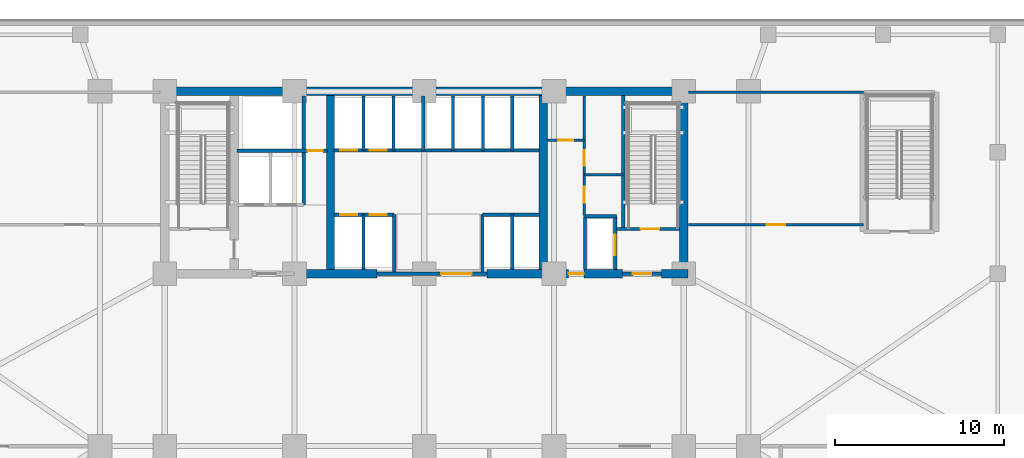
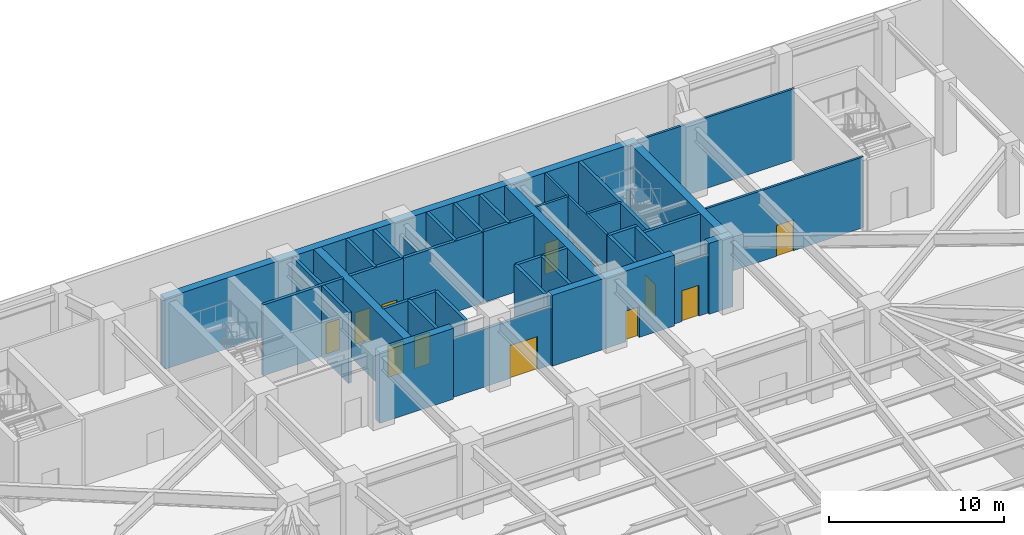
# One storey, part 13 of 19: 36 walls, 14 doors, 14 openings.
"""IFC4 building model written with IfcOpenShell, lengths in metres."""

from ifc_helpers import new_model, si_unit, direction, frame, frame_2d, origin, place, context, subcontext, project, spatial, rectangle, extrude, material, layer, layer_set, type_object, element, fill, save


model = new_model("IFC4")

# Units and contexts
model_context = context("Model", 3, precision=1e-05, world=origin(), true_north=direction((0.0, 1.0)))
body_context = subcontext(model_context, "Body", "Model", "MODEL_VIEW")
ifc_project = project(units=[si_unit("LENGTHUNIT", "METRE"), si_unit("AREAUNIT", "SQUARE_METRE"), si_unit("VOLUMEUNIT", "CUBIC_METRE"), si_unit("PLANEANGLEUNIT", "RADIAN"), si_unit("MASSUNIT", "GRAM", prefix="KILO")], contexts=[model_context])

# Site, building, storey
site_placement = place(None, origin())
site = spatial("IfcSite", under=ifc_project, at=site_placement, CompositionType="ELEMENT")
building_placement = place(site_placement, origin())
building = spatial("IfcBuilding", under=site, at=building_placement, Name="Yelkora Congress Tower", CompositionType="ELEMENT")
storey_placement = place(building_placement, frame((0.0, 0.0, 5.199951171875)))
storey = spatial("IfcBuildingStorey", under=building, at=storey_placement, Name="L01", CompositionType="ELEMENT", Elevation=5.199951171875)

# Walls
ifc_material_1 = material(Name="Concrete C50/60", Category="concrete")
ifc_layer_1 = layer(ifc_material_1, 0.219970703125)
ifc_layer_set_1 = layer_set([ifc_layer_1], Name="Concrete C50/60")
wall_type_1 = type_object("IfcWallType", Name="WALL-CORE-INT-220", PredefinedType="SHEAR", material=ifc_layer_set_1)
wall_1_placement = place(storey_placement, frame((50.179931640625, 38.050048828125, 0.0), z_axis=(0.0, 0.0, 1.0), x_axis=(0.0, 1.0, 0.0)))
element("IfcWall", 1, at=wall_1_placement, inside=storey, type_object=wall_type_1, Name="L01 ST02 West Stair Shear Wall", PredefinedType="SHEAR", context=body_context, shape_type="SweptSolid", body=[
    extrude(rectangle(XDim=7.89990234375, YDim=0.219970703125, at=frame_2d((3.949951171875, 0.0))), origin(), (0.0, 0.0, 1.0), 4.93994140625),
])
ifc_material_2 = material(Name="Concrete C60/75", Category="concrete")
ifc_layer_2 = layer(ifc_material_2, 0.5)
ifc_layer_set_2 = layer_set([ifc_layer_2], Name="Concrete C60/75")
wall_type_2 = type_object("IfcWallType", Name="WALL-CORE-INT-500", PredefinedType="SHEAR", material=ifc_layer_set_2)
wall_2_placement = place(storey_placement, frame((22.7900390625, 46.199951171875, 0.0), z_axis=(0.0, 0.0, 1.0), x_axis=(1.0, 0.0, 0.0)))
element("IfcWall", 2, at=wall_2_placement, inside=storey, type_object=wall_type_2, Name="L01 Rear Core North Shear Wall", PredefinedType="SHEAR", context=body_context, shape_type="SweptSolid", body=[
    extrude(rectangle(XDim=31.219970703125, YDim=0.5, at=frame_2d((15.60986328125, 0.0))), origin(), (0.0, 0.0, 1.0), 4.93994140625),
])
wall_3_placement = place(storey_placement, frame((30.719970703125, 35.39990234375, 0.0), z_axis=(0.0, 0.0, 1.0), x_axis=(1.0, 0.0, 0.0)))
element("IfcWall", 3, at=wall_3_placement, inside=storey, type_object=wall_type_2, Name="L01 Rear Core South-Center Shear Pier", PredefinedType="SHEAR", context=body_context, shape_type="SweptSolid", body=[
    extrude(rectangle(XDim=4.880126953125, YDim=0.5, at=frame_2d((2.43994140625, 0.0))), origin(), (0.0, 0.0, 1.0), 4.93994140625),
])

# Wall, opening, door
wall_4_placement = place(storey_placement, frame((42.10009765625, 35.39990234375, 0.0), z_axis=(0.0, 0.0, 1.0), x_axis=(1.0, 0.0, 0.0)))
wall_4 = element("IfcWall", 4, at=wall_4_placement, inside=storey, type_object=wall_type_2, Name="L01 Rear Core South-East Shear Wall A", PredefinedType="SHEAR", context=body_context, shape_type="SweptSolid", body=[
    extrude(rectangle(XDim=8.0498046875, YDim=0.5, at=frame_2d((4.02490234375, 0.0))), origin(), (0.0, 0.0, 1.0), 4.93994140625),
])
opening_1_placement = place(wall_4_placement, frame((4.85009765625, 0.0, 0.0)))
opening_1 = element("IfcOpeningElement", 5, at=opening_1_placement, cuts=wall_4, Name="Opening DR-090F6", PredefinedType="OPENING", context=body_context, shape_type="SweptSolid", body=[
    extrude(rectangle(XDim=0.89990234375, YDim=2.14990234375, at=frame_2d((0.449951171875, 1.074951171875))), frame((0.0, 0.260009765625, 0.0), z_axis=(0.0, -1.0, 0.0), x_axis=(1.0, 0.0, 0.0)), (0.0, 0.0, 1.0), 0.52001953125),
])
ifc_material_3 = material(Name="Painted steel riser fire door leaf", Category="steel")
door_type_1 = type_object("IfcDoorType", Name="DOOR-FD60-900", OperationType="NOTDEFINED", PredefinedType="DOOR", material=ifc_material_3)
door_1_placement = place(opening_1_placement, origin())
door_1 = element("IfcDoor", 6, at=door_1_placement, inside=storey, type_object=door_type_1, Name="L01 Core Washroom Lobby Door", OperationType="SINGLE_SWING_RIGHT", OverallHeight=2.14990234375, OverallWidth=0.89990234375, PredefinedType="DOOR", context=body_context, shape_type="SweptSolid", body=[
    extrude(rectangle(XDim=0.89990234375, YDim=2.14990234375, at=frame_2d((0.449951171875, 1.074951171875))), frame((0.0, 0.02490234375, 0.0), z_axis=(0.0, -1.0, 0.0), x_axis=(1.0, 0.0, 0.0)), (0.0, 0.0, 1.0), 0.050048828125),
])
fill(opening_1, door_1)

# Walls
wall_5_placement = place(storey_placement, frame((52.449951171875, 35.39990234375, 0.0), z_axis=(0.0, 0.0, 1.0), x_axis=(1.0, 0.0, 0.0)))
element("IfcWall", 7, at=wall_5_placement, inside=storey, type_object=wall_type_2, Name="L01 Rear Core South-East Shear Wall B", PredefinedType="SHEAR", context=body_context, shape_type="SweptSolid", body=[
    extrude(rectangle(XDim=1.56005859375, YDim=0.5, at=frame_2d((0.780029296875, 0.0))), origin(), (0.0, 0.0, 1.0), 4.93994140625),
])
for number, where, z_axis, x_axis, name in (
    (8, (32.85009765625, 35.64990234375, 0.0), (0.0, 0.0, 1.0), (0.0, 1.0, 0.0), "L01 Rear Core Cross Shear Wall C2"),
    (9, (45.449951171875, 35.64990234375, 0.0), (0.0, 0.0, 1.0), (0.0, 1.0, 0.0), "L01 Rear Core Cross Shear Wall C3"),
    (10, (53.760009765625, 35.64990234375, 0.0), (0.0, 0.0, 1.0), (0.0, 1.0, 0.0), "L01 Rear Core Cross Shear Wall E"),
):
    element("IfcWall", number, at=place(storey_placement, frame(where, z_axis=z_axis, x_axis=x_axis)), inside=storey, type_object=wall_type_2, Name=name, PredefinedType="SHEAR", context=body_context, shape_type="SweptSolid", body=[
        extrude(rectangle(XDim=10.300048828125, YDim=0.5, at=frame_2d((5.14990234375, 0.0))), origin(), (0.0, 0.0, 1.0), 4.93994140625),
    ])

# Wall, opening, door
ifc_material_4 = material(Name="Acoustic metal-stud gypsum partition", Category="gypsum")
ifc_layer_3 = layer(ifc_material_4, 0.14990234375)
ifc_layer_set_3 = layer_set([ifc_layer_3], Name="Acoustic metal-stud gypsum partition")
wall_type_3 = type_object("IfcWallType", Name="WALL-INT-150-NR", PredefinedType="PARTITIONING", material=ifc_layer_set_3)
wall_6_placement = place(storey_placement, frame((45.679931640625, 43.31005859375, 0.0), z_axis=(0.0, 0.0, 1.0), x_axis=(1.0, 0.0, 0.0)))
wall_6 = element("IfcWall", 11, at=wall_6_placement, inside=storey, type_object=wall_type_3, Name="L01 Partition Wall 28", PredefinedType="PARTITIONING", context=body_context, shape_type="SweptSolid", body=[
    extrude(rectangle(XDim=2.199951171875, YDim=0.14990234375, at=frame_2d((1.10009765625, 0.0))), origin(), (0.0, 0.0, 1.0), 4.93994140625),
])
opening_2_placement = place(wall_6_placement, frame((0.64990234375, 0.0, 0.0)))
opening_2 = element("IfcOpeningElement", 12, at=opening_2_placement, cuts=wall_6, Name="Opening DR-090N", PredefinedType="OPENING", context=body_context, shape_type="SweptSolid", body=[
    extrude(rectangle(XDim=0.89990234375, YDim=2.14990234375, at=frame_2d((0.449951171875, 1.074951171875))), frame((0.0, 0.0849609375, 0.0), z_axis=(0.0, -1.0, 0.0), x_axis=(1.0, 0.0, 0.0)), (0.0, 0.0, 1.0), 0.169921875),
])
ifc_material_5 = material(Name="Moisture-resistant laminate door leaf", Category="wood")
door_type_2 = type_object("IfcDoorType", Name="DOOR-INT-900", OperationType="NOTDEFINED", PredefinedType="DOOR", material=ifc_material_5)
door_2_placement = place(opening_2_placement, origin())
door_2 = element("IfcDoor", 13, at=door_2_placement, inside=storey, type_object=door_type_2, Name="L01 Male WC Door", OperationType="SINGLE_SWING_RIGHT", OverallHeight=2.14990234375, OverallWidth=0.89990234375, PredefinedType="DOOR", context=body_context, shape_type="SweptSolid", body=[
    extrude(rectangle(XDim=0.89990234375, YDim=2.14990234375, at=frame_2d((0.449951171875, 1.074951171875))), frame((0.0, 0.02490234375, 0.0), z_axis=(0.0, -1.0, 0.0), x_axis=(1.0, 0.0, 0.0)), (0.0, 0.0, 1.0), 0.050048828125),
])
fill(opening_2, door_2)

# Wall
wall_7_placement = place(storey_placement, frame((47.8798828125, 41.260009765625, 0.0), z_axis=(0.0, 0.0, 1.0), x_axis=(1.0, 0.0, 0.0)))
element("IfcWall", 14, at=wall_7_placement, inside=storey, type_object=wall_type_3, Name="L01 Partition Wall 29", PredefinedType="PARTITIONING", context=body_context, shape_type="SweptSolid", body=[
    extrude(rectangle(XDim=2.300048828125, YDim=0.14990234375, at=frame_2d((1.14990234375, 0.0))), origin(), (0.0, 0.0, 1.0), 4.93994140625),
])

# Wall, openings, doors
wall_8_placement = place(storey_placement, frame((47.8798828125, 38.85009765625, 0.0), z_axis=(0.0, 0.0, 1.0), x_axis=(0.0, 1.0, 0.0)))
wall_8 = element("IfcWall", 15, at=wall_8_placement, inside=storey, type_object=wall_type_3, Name="L01 Partition Wall 30", PredefinedType="PARTITIONING", context=body_context, shape_type="SweptSolid", body=[
    extrude(rectangle(XDim=7.06982421875, YDim=0.14990234375, at=frame_2d((3.534912109375, 0.0))), origin(), (0.0, 0.0, 1.0), 4.93994140625),
])
opening_3_placement = place(wall_8_placement, frame((0.75, 0.0, 0.0)))
opening_3 = element("IfcOpeningElement", 16, at=opening_3_placement, cuts=wall_8, Name="Opening DR-095N", PredefinedType="OPENING", context=body_context, shape_type="SweptSolid", body=[
    extrude(rectangle(XDim=0.949951171875, YDim=2.14990234375, at=frame_2d((0.47509765625, 1.074951171875))), frame((0.0, 0.0849609375, 0.0), z_axis=(0.0, -1.0, 0.0), x_axis=(1.0, 0.0, 0.0)), (0.0, 0.0, 1.0), 0.169921875),
])
opening_4_placement = place(wall_8_placement, frame((2.949951171875, 0.0, 0.0)))
opening_4 = element("IfcOpeningElement", 17, at=opening_4_placement, cuts=wall_8, Name="Opening DR-090N", PredefinedType="OPENING", context=body_context, shape_type="SweptSolid", body=[
    extrude(rectangle(XDim=0.89990234375, YDim=2.14990234375, at=frame_2d((0.449951171875, 1.074951171875))), frame((0.0, 0.0849609375, 0.0), z_axis=(0.0, -1.0, 0.0), x_axis=(1.0, 0.0, 0.0)), (0.0, 0.0, 1.0), 0.169921875),
])
door_3_placement = place(opening_4_placement, origin())
door_3 = element("IfcDoor", 18, at=door_3_placement, inside=storey, type_object=door_type_2, Name="L01 Female WC Door", OperationType="SINGLE_SWING_RIGHT", OverallHeight=2.14990234375, OverallWidth=0.89990234375, PredefinedType="DOOR", context=body_context, shape_type="SweptSolid", body=[
    extrude(rectangle(XDim=0.89990234375, YDim=2.14990234375, at=frame_2d((0.449951171875, 1.074951171875))), frame((0.0, 0.02490234375, 0.0), z_axis=(0.0, -1.0, 0.0), x_axis=(1.0, 0.0, 0.0)), (0.0, 0.0, 1.0), 0.050048828125),
])
fill(opening_4, door_3)
ifc_material_6 = material(Name="Acoustic laminated timber office door", Category="wood")
door_type_3 = type_object("IfcDoorType", Name="DOOR-INT-950", OperationType="NOTDEFINED", PredefinedType="DOOR", material=ifc_material_6)
door_4_placement = place(opening_3_placement, origin())
door_4 = element("IfcDoor", 19, at=door_4_placement, inside=storey, type_object=door_type_3, Name="L01 Accessible WC Door", OperationType="SINGLE_SWING_LEFT", OverallHeight=2.14990234375, OverallWidth=0.949951171875, PredefinedType="DOOR", context=body_context, shape_type="SweptSolid", body=[
    extrude(rectangle(XDim=0.949951171875, YDim=2.14990234375, at=frame_2d((0.47509765625, 1.074951171875))), frame((0.0, 0.02490234375, 0.0), z_axis=(0.0, -1.0, 0.0), x_axis=(1.0, 0.0, 0.0)), (0.0, 0.0, 1.0), 0.050048828125),
])
fill(opening_3, door_4)

# Wall, opening, door
wall_9_placement = place(storey_placement, frame((54.050048828125, 38.300048828125, 0.0), z_axis=(0.0, 0.0, 1.0), x_axis=(1.0, 0.0, 0.0)))
wall_9 = element("IfcWall", 20, at=wall_9_placement, inside=storey, type_object=wall_type_3, Name="L01 Partition Wall 37", PredefinedType="PARTITIONING", context=body_context, shape_type="SweptSolid", body=[
    extrude(rectangle(XDim=10.349853515625, YDim=0.14990234375, at=frame_2d((5.1748046875, 0.0))), origin(), (0.0, 0.0, 1.0), 4.93994140625),
])
opening_5_placement = place(wall_9_placement, frame((4.625, 0.0, 0.0)))
opening_5 = element("IfcOpeningElement", 21, at=opening_5_placement, cuts=wall_9, Name="Opening DR-110N", PredefinedType="OPENING", context=body_context, shape_type="SweptSolid", body=[
    extrude(rectangle(XDim=1.10009765625, YDim=2.14990234375, at=frame_2d((0.550048828125, 1.074951171875))), frame((0.0, 0.0849609375, 0.0), z_axis=(0.0, -1.0, 0.0), x_axis=(1.0, 0.0, 0.0)), (0.0, 0.0, 1.0), 0.169921875),
])
ifc_material_7 = material(Name="Solid-core Anatolian oak veneer door", Category="wood")
door_type_4 = type_object("IfcDoorType", Name="DOOR-INT-1100", OperationType="NOTDEFINED", PredefinedType="DOOR", material=ifc_material_7)
door_5_placement = place(opening_5_placement, origin())
door_5 = element("IfcDoor", 22, at=door_5_placement, inside=storey, type_object=door_type_4, Name="L01 Interior Door 20", OperationType="SINGLE_SWING_RIGHT", OverallHeight=2.14990234375, OverallWidth=1.10009765625, PredefinedType="DOOR", context=body_context, shape_type="SweptSolid", body=[
    extrude(rectangle(XDim=1.10009765625, YDim=2.14990234375, at=frame_2d((0.550048828125, 1.074951171875))), frame((0.0, 0.02490234375, 0.0), z_axis=(0.0, -1.0, 0.0), x_axis=(1.0, 0.0, 0.0)), (0.0, 0.0, 1.0), 0.050048828125),
])
fill(opening_5, door_5)

# Walls
wall_10_placement = place(storey_placement, frame((54.050048828125, 46.14990234375, 0.0), z_axis=(0.0, 0.0, 1.0), x_axis=(1.0, 0.0, 0.0)))
element("IfcWall", 23, at=wall_10_placement, inside=storey, type_object=wall_type_3, Name="L01 Partition Wall 38", PredefinedType="PARTITIONING", context=body_context, shape_type="SweptSolid", body=[
    extrude(rectangle(XDim=10.349853515625, YDim=0.14990234375, at=frame_2d((5.1748046875, 0.0))), origin(), (0.0, 0.0, 1.0), 4.93994140625),
])
ifc_material_8 = material(Name="Autoclaved aerated concrete blockwork", Category="masonry")
ifc_layer_4 = layer(ifc_material_8, 0.199951171875)
ifc_layer_set_4 = layer_set([ifc_layer_4], Name="Autoclaved aerated concrete blockwork")
wall_type_4 = type_object("IfcWallType", Name="WALL-INT-200-R120", PredefinedType="PARTITIONING", material=ifc_layer_set_4)
wall_11_placement = place(storey_placement, frame((31.260009765625, 39.47998046875, 0.0), z_axis=(0.0, 0.0, 1.0), x_axis=(0.0, 1.0, 0.0)))
element("IfcWall", 24, at=wall_11_placement, inside=storey, type_object=wall_type_4, Name="L01 Partition Wall 5", PredefinedType="PARTITIONING", context=body_context, shape_type="SweptSolid", body=[
    extrude(rectangle(XDim=6.43994140625, YDim=0.199951171875, at=frame_2d((3.219970703125, 0.0))), origin(), (0.0, 0.0, 1.0), 4.93994140625),
])

# Wall, opening, door
wall_12_placement = place(storey_placement, frame((27.320068359375, 42.679931640625, 0.0), z_axis=(0.0, 0.0, 1.0), x_axis=(1.0, 0.0, 0.0)))
wall_12 = element("IfcWall", 25, at=wall_12_placement, inside=storey, type_object=wall_type_4, Name="L01 Smoke Riser South Wall", PredefinedType="PARTITIONING", context=body_context, shape_type="SweptSolid", body=[
    extrude(rectangle(XDim=5.329833984375, YDim=0.199951171875, at=frame_2d((2.6650390625, 0.0))), origin(), (0.0, 0.0, 1.0), 4.93994140625),
])
opening_6_placement = place(wall_12_placement, frame((4.179931640625, 0.0, 0.0)))
opening_6 = element("IfcOpeningElement", 26, at=opening_6_placement, cuts=wall_12, Name="Opening DR-090F6", PredefinedType="OPENING", context=body_context, shape_type="SweptSolid", body=[
    extrude(rectangle(XDim=0.89990234375, YDim=2.14990234375, at=frame_2d((0.449951171875, 1.074951171875))), frame((0.0, 0.10986328125, 0.0), z_axis=(0.0, -1.0, 0.0), x_axis=(1.0, 0.0, 0.0)), (0.0, 0.0, 1.0), 0.219970703125),
])
door_6_placement = place(opening_6_placement, origin())
door_6 = element("IfcDoor", 27, at=door_6_placement, inside=storey, type_object=door_type_1, Name="L01 Riser Access Door", OperationType="SINGLE_SWING_LEFT", OverallHeight=2.14990234375, OverallWidth=0.89990234375, PredefinedType="DOOR", context=body_context, shape_type="SweptSolid", body=[
    extrude(rectangle(XDim=0.89990234375, YDim=2.14990234375, at=frame_2d((0.449951171875, 1.074951171875))), frame((0.0, 0.02490234375, 0.0), z_axis=(0.0, -1.0, 0.0), x_axis=(1.0, 0.0, 0.0)), (0.0, 0.0, 1.0), 0.050048828125),
])
fill(opening_6, door_6)

wall_13_placement = place(storey_placement, frame((35.60009765625, 35.39990234375, 0.0), z_axis=(0.0, 0.0, 1.0), x_axis=(1.0, 0.0, 0.0)))
wall_13 = element("IfcWall", 28, at=wall_13_placement, inside=storey, type_object=wall_type_4, Name="L01 Main Lift Lobby South Portal Wall", PredefinedType="PARTITIONING", context=body_context, shape_type="SweptSolid", body=[
    extrude(rectangle(XDim=6.5, YDim=0.199951171875, at=frame_2d((3.25, 0.0))), origin(), (0.0, 0.0, 1.0), 4.025146484375),
])
opening_7_placement = place(wall_13_placement, frame((3.800048828125, 0.0, 0.0)))
opening_7 = element("IfcOpeningElement", 29, at=opening_7_placement, cuts=wall_13, Name="Opening DR-180D", PredefinedType="OPENING", context=body_context, shape_type="SweptSolid", body=[
    extrude(rectangle(XDim=1.800048828125, YDim=2.300048828125, at=frame_2d((0.89990234375, 1.14990234375))), frame((0.0, 0.10986328125, 0.0), z_axis=(0.0, -1.0, 0.0), x_axis=(1.0, 0.0, 0.0)), (0.0, 0.0, 1.0), 0.219970703125),
])
ifc_material_9 = material(Name="Acoustic double congress hall doors", Category="wood")
door_type_5 = type_object("IfcDoorType", Name="DOOR-DBL-1800", OperationType="DOUBLE_DOOR_SINGLE_SWING", PredefinedType="DOOR", material=ifc_material_9)
door_7_placement = place(opening_7_placement, origin())
door_7 = element("IfcDoor", 30, at=door_7_placement, inside=storey, type_object=door_type_5, Name="L01 Main Lift Lobby Portal Door", OperationType="DOUBLE_DOOR_SINGLE_SWING", OverallHeight=2.300048828125, OverallWidth=1.800048828125, PredefinedType="DOOR", context=body_context, shape_type="SweptSolid", body=[
    extrude(rectangle(XDim=1.800048828125, YDim=2.300048828125, at=frame_2d((0.89990234375, 1.14990234375))), frame((0.0, 0.02490234375, 0.0), z_axis=(0.0, -1.0, 0.0), x_axis=(1.0, 0.0, 0.0)), (0.0, 0.0, 1.0), 0.050048828125),
])
fill(opening_7, door_7)

# Walls
wall_14_placement = place(storey_placement, frame((36.60009765625, 42.699951171875, 0.0), z_axis=(0.0, 0.0, 1.0), x_axis=(1.0, 0.0, 0.0)))
element("IfcWall", 31, at=wall_14_placement, inside=storey, type_object=wall_type_4, Name="L01 Partition Wall 8", PredefinedType="PARTITIONING", context=body_context, shape_type="SweptSolid", body=[
    extrude(rectangle(XDim=5.25, YDim=0.199951171875, at=frame_2d((2.625, 0.0))), origin(), (0.0, 0.0, 1.0), 4.93994140625),
])
wall_15_placement = place(storey_placement, frame((38.35009765625, 42.699951171875, 0.0), z_axis=(0.0, 0.0, 1.0), x_axis=(0.0, 1.0, 0.0)))
element("IfcWall", 32, at=wall_15_placement, inside=storey, type_object=wall_type_4, Name="L01 Partition Wall 9", PredefinedType="PARTITIONING", context=body_context, shape_type="SweptSolid", body=[
    extrude(rectangle(XDim=3.219970703125, YDim=0.199951171875, at=frame_2d((1.60986328125, 0.0))), origin(), (0.0, 0.0, 1.0), 4.025146484375),
])
wall_16_placement = place(storey_placement, frame((40.10009765625, 42.699951171875, 0.0), z_axis=(0.0, 0.0, 1.0), x_axis=(0.0, 1.0, 0.0)))
element("IfcWall", 33, at=wall_16_placement, inside=storey, type_object=wall_type_4, Name="L01 Partition Wall 10", PredefinedType="PARTITIONING", context=body_context, shape_type="SweptSolid", body=[
    extrude(rectangle(XDim=3.219970703125, YDim=0.199951171875, at=frame_2d((1.60986328125, 0.0))), origin(), (0.0, 0.0, 1.0), 4.93994140625),
])

# Wall, openings, doors
wall_17_placement = place(storey_placement, frame((33.050048828125, 38.89990234375, 0.0), z_axis=(0.0, 0.0, 1.0), x_axis=(1.0, 0.0, 0.0)))
wall_17 = element("IfcWall", 34, at=wall_17_placement, inside=storey, type_object=wall_type_4, Name="L01 Partition Wall 11", PredefinedType="PARTITIONING", context=body_context, shape_type="SweptSolid", body=[
    extrude(rectangle(XDim=3.570068359375, YDim=0.199951171875, at=frame_2d((1.78515625, 0.0))), origin(), (0.0, 0.0, 1.0), 4.93994140625),
])
opening_8_placement = place(wall_17_placement, frame((0.375, 0.0, 0.0)))
opening_8 = element("IfcOpeningElement", 35, at=opening_8_placement, cuts=wall_17, Name="Opening LD-PS10", PredefinedType="OPENING", context=body_context, shape_type="SweptSolid", body=[
    extrude(rectangle(XDim=1.0, YDim=2.199951171875, at=frame_2d((0.5, 1.10009765625))), frame((0.0, 0.10986328125, 0.0), z_axis=(0.0, -1.0, 0.0), x_axis=(1.0, 0.0, 0.0)), (0.0, 0.0, 1.0), 0.219970703125),
])
opening_9_placement = place(wall_17_placement, frame((2.125, 0.0, 0.0)))
opening_9 = element("IfcOpeningElement", 36, at=opening_9_placement, cuts=wall_17, Name="Opening LD-PS10", PredefinedType="OPENING", context=body_context, shape_type="SweptSolid", body=[
    extrude(rectangle(XDim=1.0, YDim=2.199951171875, at=frame_2d((0.5, 1.10009765625))), frame((0.0, 0.10986328125, 0.0), z_axis=(0.0, -1.0, 0.0), x_axis=(1.0, 0.0, 0.0)), (0.0, 0.0, 1.0), 0.219970703125),
])
ifc_material_10 = material(Name="Champagne stainless steel landing door", Category="steel")
door_type_6 = type_object("IfcDoorType", Name="DOOR-LIFT-PAS-1000", OperationType="DOUBLE_DOOR_SLIDING", PredefinedType="DOOR", material=ifc_material_10)
door_8_placement = place(opening_8_placement, origin())
door_8 = element("IfcDoor", 37, at=door_8_placement, inside=storey, type_object=door_type_6, Name="Lift Landing Door LF-P1 L01", OperationType="DOUBLE_DOOR_SLIDING", OverallHeight=2.199951171875, OverallWidth=1.0, PredefinedType="DOOR", context=body_context, shape_type="SweptSolid", body=[
    extrude(rectangle(XDim=1.0, YDim=2.199951171875, at=frame_2d((0.5, 1.10009765625))), frame((0.0, 0.02490234375, 0.0), z_axis=(0.0, -1.0, 0.0), x_axis=(1.0, 0.0, 0.0)), (0.0, 0.0, 1.0), 0.050048828125),
])
fill(opening_8, door_8)
door_9_placement = place(opening_9_placement, origin())
door_9 = element("IfcDoor", 38, at=door_9_placement, inside=storey, type_object=door_type_6, Name="Lift Landing Door LF-P2 L01", OperationType="DOUBLE_DOOR_SLIDING", OverallHeight=2.199951171875, OverallWidth=1.0, PredefinedType="DOOR", context=body_context, shape_type="SweptSolid", body=[
    extrude(rectangle(XDim=1.0, YDim=2.199951171875, at=frame_2d((0.5, 1.10009765625))), frame((0.0, 0.02490234375, 0.0), z_axis=(0.0, -1.0, 0.0), x_axis=(1.0, 0.0, 0.0)), (0.0, 0.0, 1.0), 0.050048828125),
])
fill(opening_9, door_9)

wall_18_placement = place(storey_placement, frame((33.050048828125, 42.699951171875, 0.0), z_axis=(0.0, 0.0, 1.0), x_axis=(1.0, 0.0, 0.0)))
wall_18 = element("IfcWall", 39, at=wall_18_placement, inside=storey, type_object=wall_type_4, Name="L01 Partition Wall 12", PredefinedType="PARTITIONING", context=body_context, shape_type="SweptSolid", body=[
    extrude(rectangle(XDim=3.570068359375, YDim=0.199951171875, at=frame_2d((1.78515625, 0.0))), origin(), (0.0, 0.0, 1.0), 4.93994140625),
])
opening_10_placement = place(wall_18_placement, frame((0.375, 0.0, 0.0)))
opening_10 = element("IfcOpeningElement", 40, at=opening_10_placement, cuts=wall_18, Name="Opening LD-PS10", PredefinedType="OPENING", context=body_context, shape_type="SweptSolid", body=[
    extrude(rectangle(XDim=1.0, YDim=2.199951171875, at=frame_2d((0.5, 1.10009765625))), frame((0.0, 0.10986328125, 0.0), z_axis=(0.0, -1.0, 0.0), x_axis=(1.0, 0.0, 0.0)), (0.0, 0.0, 1.0), 0.219970703125),
])
opening_11_placement = place(wall_18_placement, frame((2.125, 0.0, 0.0)))
opening_11 = element("IfcOpeningElement", 41, at=opening_11_placement, cuts=wall_18, Name="Opening LD-PS10", PredefinedType="OPENING", context=body_context, shape_type="SweptSolid", body=[
    extrude(rectangle(XDim=1.0, YDim=2.199951171875, at=frame_2d((0.5, 1.10009765625))), frame((0.0, 0.10986328125, 0.0), z_axis=(0.0, -1.0, 0.0), x_axis=(1.0, 0.0, 0.0)), (0.0, 0.0, 1.0), 0.219970703125),
])
door_10_placement = place(opening_10_placement, origin())
door_10 = element("IfcDoor", 42, at=door_10_placement, inside=storey, type_object=door_type_6, Name="Lift Landing Door LF-P3 L01", OperationType="DOUBLE_DOOR_SLIDING", OverallHeight=2.199951171875, OverallWidth=1.0, PredefinedType="DOOR", context=body_context, shape_type="SweptSolid", body=[
    extrude(rectangle(XDim=1.0, YDim=2.199951171875, at=frame_2d((0.5, 1.10009765625))), frame((0.0, 0.02490234375, 0.0), z_axis=(0.0, -1.0, 0.0), x_axis=(1.0, 0.0, 0.0)), (0.0, 0.0, 1.0), 0.050048828125),
])
fill(opening_10, door_10)
door_11_placement = place(opening_11_placement, origin())
door_11 = element("IfcDoor", 43, at=door_11_placement, inside=storey, type_object=door_type_6, Name="Lift Landing Door LF-P4 L01", OperationType="DOUBLE_DOOR_SLIDING", OverallHeight=2.199951171875, OverallWidth=1.0, PredefinedType="DOOR", context=body_context, shape_type="SweptSolid", body=[
    extrude(rectangle(XDim=1.0, YDim=2.199951171875, at=frame_2d((0.5, 1.10009765625))), frame((0.0, 0.02490234375, 0.0), z_axis=(0.0, -1.0, 0.0), x_axis=(1.0, 0.0, 0.0)), (0.0, 0.0, 1.0), 0.050048828125),
])
fill(opening_11, door_11)

# Walls
wall_19_placement = place(storey_placement, frame((34.800048828125, 35.64990234375, 0.0), z_axis=(0.0, 0.0, 1.0), x_axis=(0.0, 1.0, 0.0)))
element("IfcWall", 44, at=wall_19_placement, inside=storey, type_object=wall_type_4, Name="L01 Partition Wall 13", PredefinedType="PARTITIONING", context=body_context, shape_type="SweptSolid", body=[
    extrude(rectangle(XDim=3.25, YDim=0.199951171875, at=frame_2d((1.625, 0.0))), origin(), (0.0, 0.0, 1.0), 4.93994140625),
])
wall_20_placement = place(storey_placement, frame((34.800048828125, 42.699951171875, 0.0), z_axis=(0.0, 0.0, 1.0), x_axis=(0.0, 1.0, 0.0)))
element("IfcWall", 45, at=wall_20_placement, inside=storey, type_object=wall_type_4, Name="L01 Partition Wall 14", PredefinedType="PARTITIONING", context=body_context, shape_type="SweptSolid", body=[
    extrude(rectangle(XDim=3.219970703125, YDim=0.199951171875, at=frame_2d((1.60986328125, 0.0))), origin(), (0.0, 0.0, 1.0), 4.93994140625),
])
wall_21_placement = place(storey_placement, frame((36.6201171875, 35.5, 0.0), z_axis=(0.0, 0.0, 1.0), x_axis=(0.0, 1.0, 0.0)))
element("IfcWall", 46, at=wall_21_placement, inside=storey, type_object=wall_type_4, Name="L01 Partition Wall 15", PredefinedType="PARTITIONING", context=body_context, shape_type="SweptSolid", body=[
    extrude(rectangle(XDim=3.39990234375, YDim=0.199951171875, at=frame_2d((1.699951171875, 0.0))), origin(), (0.0, 0.0, 1.0), 4.93994140625),
])
wall_22_placement = place(storey_placement, frame((36.580078125, 42.699951171875, 0.0), z_axis=(0.0, 0.0, 1.0), x_axis=(0.0, 1.0, 0.0)))
element("IfcWall", 47, at=wall_22_placement, inside=storey, type_object=wall_type_4, Name="L01 Partition Wall 16", PredefinedType="PARTITIONING", context=body_context, shape_type="SweptSolid", body=[
    extrude(rectangle(XDim=3.219970703125, YDim=0.199951171875, at=frame_2d((1.60986328125, 0.0))), origin(), (0.0, 0.0, 1.0), 4.93994140625),
])
for number, where, z_axis, x_axis, name in (
    (48, (41.85009765625, 38.89990234375, 0.0), (0.0, 0.0, 1.0), (1.0, 0.0, 0.0), "L01 Partition Wall 17"),
    (49, (41.85009765625, 42.699951171875, 0.0), (0.0, 0.0, 1.0), (1.0, 0.0, 0.0), "L01 Partition Wall 18"),
):
    element("IfcWall", number, at=place(storey_placement, frame(where, z_axis=z_axis, x_axis=x_axis)), inside=storey, type_object=wall_type_4, Name=name, PredefinedType="PARTITIONING", context=body_context, shape_type="SweptSolid", body=[
        extrude(rectangle(XDim=3.369873046875, YDim=0.199951171875, at=frame_2d((1.68505859375, 0.0))), origin(), (0.0, 0.0, 1.0), 4.93994140625),
    ])
wall_23_placement = place(storey_placement, frame((43.60009765625, 35.64990234375, 0.0), z_axis=(0.0, 0.0, 1.0), x_axis=(0.0, 1.0, 0.0)))
element("IfcWall", 50, at=wall_23_placement, inside=storey, type_object=wall_type_4, Name="L01 Partition Wall 19", PredefinedType="PARTITIONING", context=body_context, shape_type="SweptSolid", body=[
    extrude(rectangle(XDim=3.25, YDim=0.199951171875, at=frame_2d((1.625, 0.0))), origin(), (0.0, 0.0, 1.0), 4.93994140625),
])
wall_24_placement = place(storey_placement, frame((43.60009765625, 42.699951171875, 0.0), z_axis=(0.0, 0.0, 1.0), x_axis=(0.0, 1.0, 0.0)))
element("IfcWall", 51, at=wall_24_placement, inside=storey, type_object=wall_type_4, Name="L01 Partition Wall 20", PredefinedType="PARTITIONING", context=body_context, shape_type="SweptSolid", body=[
    extrude(rectangle(XDim=3.219970703125, YDim=0.199951171875, at=frame_2d((1.60986328125, 0.0))), origin(), (0.0, 0.0, 1.0), 4.93994140625),
])
wall_25_placement = place(storey_placement, frame((41.85009765625, 35.5, 0.0), z_axis=(0.0, 0.0, 1.0), x_axis=(0.0, 1.0, 0.0)))
element("IfcWall", 52, at=wall_25_placement, inside=storey, type_object=wall_type_4, Name="L01 Partition Wall 21", PredefinedType="PARTITIONING", context=body_context, shape_type="SweptSolid", body=[
    extrude(rectangle(XDim=3.39990234375, YDim=0.199951171875, at=frame_2d((1.699951171875, 0.0))), origin(), (0.0, 0.0, 1.0), 4.93994140625),
])
wall_26_placement = place(storey_placement, frame((41.8798828125, 42.699951171875, 0.0), z_axis=(0.0, 0.0, 1.0), x_axis=(0.0, 1.0, 0.0)))
element("IfcWall", 53, at=wall_26_placement, inside=storey, type_object=wall_type_4, Name="L01 Partition Wall 22", PredefinedType="PARTITIONING", context=body_context, shape_type="SweptSolid", body=[
    extrude(rectangle(XDim=3.219970703125, YDim=0.199951171875, at=frame_2d((1.60986328125, 0.0))), origin(), (0.0, 0.0, 1.0), 4.93994140625),
])

# Wall, opening, door
wall_27_placement = place(storey_placement, frame((49.780029296875, 38.050048828125, 0.0), z_axis=(0.0, 0.0, 1.0), x_axis=(1.0, 0.0, 0.0)))
wall_27 = element("IfcWall", 54, at=wall_27_placement, inside=storey, type_object=wall_type_4, Name="L01 Stair ST-02 Enclosure Wall", PredefinedType="PARTITIONING", context=body_context, shape_type="SweptSolid", body=[
    extrude(rectangle(XDim=3.719970703125, YDim=0.199951171875, at=frame_2d((1.85986328125, 0.0))), origin(), (0.0, 0.0, 1.0), 4.93994140625),
])
opening_12_placement = place(wall_27_placement, frame((1.436279296875, 0.0, 0.0)))
opening_12 = element("IfcOpeningElement", 55, at=opening_12_placement, cuts=wall_27, Name="Opening DR-110F9", PredefinedType="OPENING", context=body_context, shape_type="SweptSolid", body=[
    extrude(rectangle(XDim=1.10009765625, YDim=2.14990234375, at=frame_2d((0.550048828125, 1.074951171875))), frame((0.0, 0.10986328125, 0.0), z_axis=(0.0, -1.0, 0.0), x_axis=(1.0, 0.0, 0.0)), (0.0, 0.0, 1.0), 0.219970703125),
])
ifc_material_11 = material(Name="Galvanised steel fire door leaf", Category="steel")
door_type_7 = type_object("IfcDoorType", Name="DOOR-FD90-1100", OperationType="NOTDEFINED", PredefinedType="DOOR", material=ifc_material_11)
door_12_placement = place(opening_12_placement, origin())
door_12 = element("IfcDoor", 56, at=door_12_placement, inside=storey, type_object=door_type_7, Name="L01 Stair ST-02 Entry Door", OperationType="SINGLE_SWING_LEFT", OverallHeight=2.14990234375, OverallWidth=1.10009765625, PredefinedType="DOOR", context=body_context, shape_type="SweptSolid", body=[
    extrude(rectangle(XDim=1.10009765625, YDim=2.14990234375, at=frame_2d((0.550048828125, 1.074951171875))), frame((0.0, 0.02490234375, 0.0), z_axis=(0.0, -1.0, 0.0), x_axis=(1.0, 0.0, 0.0)), (0.0, 0.0, 1.0), 0.050048828125),
])
fill(opening_12, door_12)

wall_28_placement = place(storey_placement, frame((50.14990234375, 35.39990234375, 0.0), z_axis=(0.0, 0.0, 1.0), x_axis=(1.0, 0.0, 0.0)))
wall_28 = element("IfcWall", 57, at=wall_28_placement, inside=storey, type_object=wall_type_4, Name="L01 Partition Wall 24", PredefinedType="PARTITIONING", context=body_context, shape_type="SweptSolid", body=[
    extrude(rectangle(XDim=2.300048828125, YDim=0.199951171875, at=frame_2d((1.14990234375, 0.0))), origin(), (0.0, 0.0, 1.0), 4.025146484375),
])
opening_13_placement = place(wall_28_placement, frame((0.60009765625, 0.0, 0.0)))
opening_13 = element("IfcOpeningElement", 58, at=opening_13_placement, cuts=wall_28, Name="Opening DR-110F9", PredefinedType="OPENING", context=body_context, shape_type="SweptSolid", body=[
    extrude(rectangle(XDim=1.10009765625, YDim=2.14990234375, at=frame_2d((0.550048828125, 1.074951171875))), frame((0.0, 0.10986328125, 0.0), z_axis=(0.0, -1.0, 0.0), x_axis=(1.0, 0.0, 0.0)), (0.0, 0.0, 1.0), 0.219970703125),
])
door_13_placement = place(opening_13_placement, origin())
door_13 = element("IfcDoor", 59, at=door_13_placement, inside=storey, type_object=door_type_7, Name="L01 East Stair Lobby Door", OperationType="SINGLE_SWING_RIGHT", OverallHeight=2.14990234375, OverallWidth=1.10009765625, PredefinedType="DOOR", context=body_context, shape_type="SweptSolid", body=[
    extrude(rectangle(XDim=1.10009765625, YDim=2.14990234375, at=frame_2d((0.550048828125, 1.074951171875))), frame((0.0, 0.02490234375, 0.0), z_axis=(0.0, -1.0, 0.0), x_axis=(1.0, 0.0, 0.0)), (0.0, 0.0, 1.0), 0.050048828125),
])
fill(opening_13, door_13)

wall_29_placement = place(storey_placement, frame((49.699951171875, 35.64990234375, 0.0), z_axis=(0.0, 0.0, 1.0), x_axis=(0.0, 1.0, 0.0)))
wall_29 = element("IfcWall", 60, at=wall_29_placement, inside=storey, type_object=wall_type_4, Name="L01 Partition Wall 25", PredefinedType="PARTITIONING", context=body_context, shape_type="SweptSolid", body=[
    extrude(rectangle(XDim=3.150146484375, YDim=0.199951171875, at=frame_2d((1.5751953125, 0.0))), origin(), (0.0, 0.0, 1.0), 4.93994140625),
])
opening_14_placement = place(wall_29_placement, frame((0.85009765625, 0.0, 0.0)))
opening_14 = element("IfcOpeningElement", 61, at=opening_14_placement, cuts=wall_29, Name="Opening LD-SV12", PredefinedType="OPENING", context=body_context, shape_type="SweptSolid", body=[
    extrude(rectangle(XDim=1.199951171875, YDim=2.199951171875, at=frame_2d((0.60009765625, 1.10009765625))), frame((0.0, 0.10986328125, 0.0), z_axis=(0.0, -1.0, 0.0), x_axis=(1.0, 0.0, 0.0)), (0.0, 0.0, 1.0), 0.219970703125),
])
ifc_material_12 = material(Name="Heavy-duty stainless steel landing door", Category="steel")
door_type_8 = type_object("IfcDoorType", Name="DOOR-LIFT-SRV-1200", OperationType="DOUBLE_DOOR_SLIDING", PredefinedType="DOOR", material=ifc_material_12)
door_14_placement = place(opening_14_placement, origin())
door_14 = element("IfcDoor", 62, at=door_14_placement, inside=storey, type_object=door_type_8, Name="Service Lift Landing Door LF-SV1 L01", OperationType="DOUBLE_DOOR_SLIDING", OverallHeight=2.199951171875, OverallWidth=1.199951171875, PredefinedType="DOOR", context=body_context, shape_type="SweptSolid", body=[
    extrude(rectangle(XDim=1.199951171875, YDim=2.199951171875, at=frame_2d((0.60009765625, 1.10009765625))), frame((0.0, 0.02490234375, 0.0), z_axis=(0.0, -1.0, 0.0), x_axis=(1.0, 0.0, 0.0)), (0.0, 0.0, 1.0), 0.050048828125),
])
fill(opening_14, door_14)

# Walls
wall_30_placement = place(storey_placement, frame((47.919921875, 35.64990234375, 0.0), z_axis=(0.0, 0.0, 1.0), x_axis=(0.0, 1.0, 0.0)))
element("IfcWall", 63, at=wall_30_placement, inside=storey, type_object=wall_type_4, Name="L01 Partition Wall 26", PredefinedType="PARTITIONING", context=body_context, shape_type="SweptSolid", body=[
    extrude(rectangle(XDim=3.150146484375, YDim=0.199951171875, at=frame_2d((1.5751953125, 0.0))), origin(), (0.0, 0.0, 1.0), 4.93994140625),
])
wall_31_placement = place(storey_placement, frame((47.919921875, 38.800048828125, 0.0), z_axis=(0.0, 0.0, 1.0), x_axis=(1.0, 0.0, 0.0)))
element("IfcWall", 64, at=wall_31_placement, inside=storey, type_object=wall_type_4, Name="L01 Partition Wall 27", PredefinedType="PARTITIONING", context=body_context, shape_type="SweptSolid", body=[
    extrude(rectangle(XDim=1.860107421875, YDim=0.199951171875, at=frame_2d((0.93017578125, 0.0))), origin(), (0.0, 0.0, 1.0), 4.93994140625),
])

save(model, "model.ifc")
